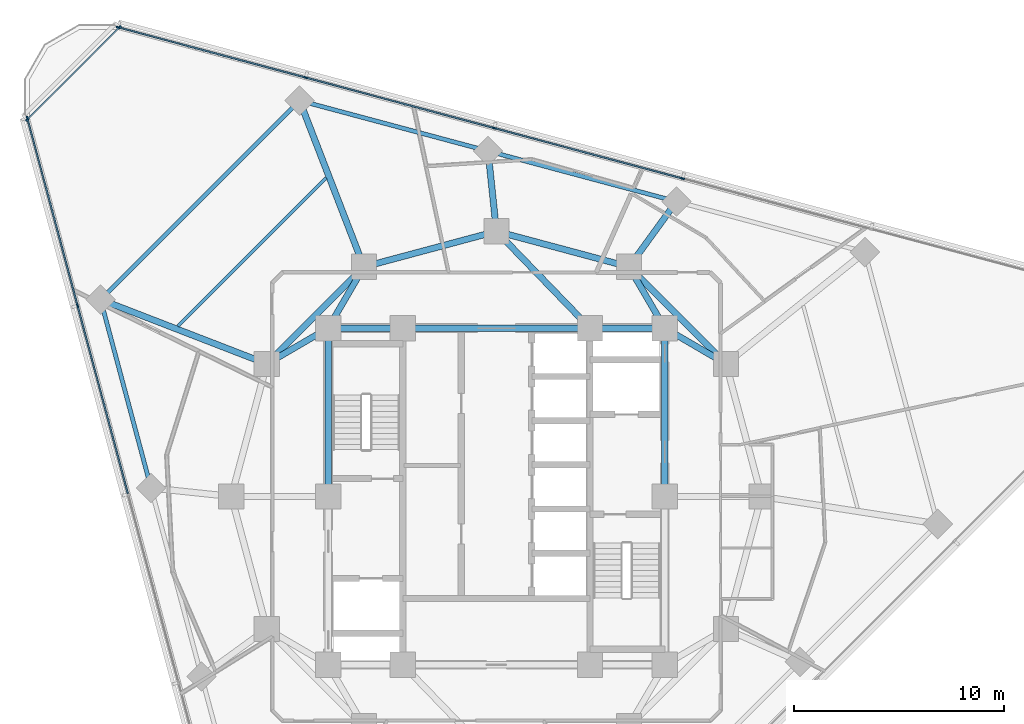
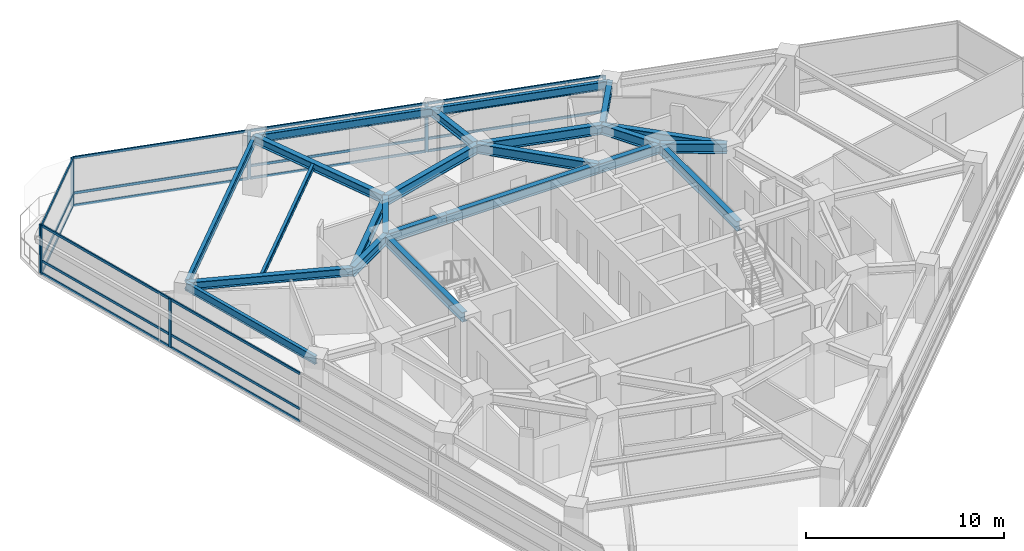
# One storey, part 4 of 14: 26 members, 23 beams, 3 elements without a shape of their own.
"""IFC4 building model written with IfcOpenShell, lengths in metres."""

from ifc_helpers import new_model, si_unit, direction, frame, origin, origin_2d, place, context, subcontext, project, spatial, rectangle, i_section, extrude, material, layer, layer_set, material_profile, profile_set, type_object, element, aggregate, save


model = new_model("IFC4")

# Units and contexts
model_context = context("Model", 3, precision=1e-05, world=origin(), true_north=direction((0.0, 1.0)))
body_context = subcontext(model_context, "Body", "Model", "MODEL_VIEW")
ifc_project = project(units=[si_unit("LENGTHUNIT", "METRE"), si_unit("AREAUNIT", "SQUARE_METRE"), si_unit("VOLUMEUNIT", "CUBIC_METRE"), si_unit("PLANEANGLEUNIT", "RADIAN"), si_unit("MASSUNIT", "GRAM", prefix="KILO")], contexts=[model_context])

# Site, building, storey
site_placement = place(None, origin())
site = spatial("IfcSite", under=ifc_project, at=site_placement, CompositionType="ELEMENT")
building_placement = place(site_placement, origin())
building = spatial("IfcBuilding", under=site, at=building_placement, Name="Terralouvre Media Tower", CompositionType="ELEMENT")
storey_placement = place(building_placement, frame((0.0, 0.0, 187.89990234375)))
storey = spatial("IfcBuildingStorey", under=building, at=storey_placement, Name="L48", CompositionType="ELEMENT", Elevation=187.89990234375)

# Beam
ifc_material_1 = material(Name="Structural steel S355J2", Category="steel")
ifc_material_profile_1 = material_profile(ifc_material_1, i_section(OverallWidth=0.159912109375, OverallDepth=0.330078125, WebThickness=0.007568359375, FlangeThickness=0.011474609375, at=origin_2d()), Name="IPE 330")
ifc_profile_set_1 = profile_set([ifc_material_profile_1], Name="Structural steel S355J2")
beam_type_1 = type_object("IfcBeamType", Name="Composite Floor Joist J-IPE330 (IPE 330)", PredefinedType="JOIST", material=ifc_profile_set_1)
beam_1_placement = place(storey_placement, frame((-8.095947265625, 15.14453125, 3.335205078125), z_axis=(-0.707106781187, -0.707106781187, 0.0), x_axis=(0.707106781187, -0.707106781187, 0.0)))
element("IfcBeam", 1, at=beam_1_placement, inside=storey, type_object=beam_type_1, Name="L48 Framing Beam JT-L48-05", PredefinedType="JOIST", context=body_context, shape_type="SweptSolid", body=[
    extrude(i_section(OverallWidth=0.159912109375, OverallDepth=0.330078125, WebThickness=0.007568359375, FlangeThickness=0.011474609375, at=origin_2d()), origin(), (0.0, 0.0, 1.0), 9.96826171875),
])

# Curtain wall, members
ifc_material_2 = material(Name="Low-iron laminated double glazing with solar-control coating", Category="glass")
ifc_layer_1 = layer(ifc_material_2, 0.1650390625, Name="Production Studio Tower Curtain Wall CW-03")
ifc_layer_set_1 = layer_set([ifc_layer_1], Name="Low-iron laminated double glazing with solar-control coating")
curtain_wall_type_1 = type_object("IfcCurtainWallType", Name="Production Studio Tower Curtain Wall CW-03", PredefinedType="NOTDEFINED", material=ifc_layer_set_1)
curtain_wall_1_placement = place(storey_placement, origin())
curtain_wall_1 = element("IfcCurtainWall", 2, at=curtain_wall_1_placement, inside=storey, type_object=curtain_wall_type_1, Name="L48 Facade Curtain Wall F1", PredefinedType="NOTDEFINED")
ifc_material_3 = material(Name="Anodised extruded aluminium 6063-T6", Category="aluminium")
ifc_material_profile_2 = material_profile(ifc_material_3, rectangle(XDim=0.074951171875, YDim=0.14990234375, at=origin_2d()), Name="ALU 75x150")
ifc_profile_set_2 = profile_set([ifc_material_profile_2], Name="Anodised extruded aluminium 6063-T6")
member_type_1 = type_object("IfcMemberType", Name="Curtain-Wall Horizontal Transom TR-150", PredefinedType="USERDEFINED", material=ifc_profile_set_2)
member_1_placement = place(storey_placement, frame((8.8115234375, 15.117431640625, 0.03759765625), z_axis=(-0.965926723605, 0.25881569625, 0.0), x_axis=(-0.25881569625, -0.965926723605, 0.0)))
member_1 = element("IfcMember", 3, at=member_1_placement, type_object=member_type_1, Name="CW-03 transom 3.1", ObjectType="TRANSOM", PredefinedType="USERDEFINED", context=body_context, shape_type="SweptSolid", body=[
    extrude(rectangle(XDim=0.074951171875, YDim=0.14990234375, at=origin_2d()), origin(), (0.0, 0.0, 1.0), 9.197265625),
])
member_2_placement = place(storey_placement, frame((8.8115234375, 15.117431640625, 0.800048828125), z_axis=(-0.965926723605, 0.25881569625, 0.0), x_axis=(-0.25881569625, -0.965926723605, 0.0)))
member_2 = element("IfcMember", 4, at=member_2_placement, type_object=member_type_1, Name="CW-03 transom 3.2", ObjectType="TRANSOM", PredefinedType="USERDEFINED", context=body_context, shape_type="SweptSolid", body=[
    extrude(rectangle(XDim=0.074951171875, YDim=0.14990234375, at=origin_2d()), origin(), (0.0, 0.0, 1.0), 9.197265625),
])
member_3_placement = place(storey_placement, frame((8.8115234375, 15.117431640625, 2.962646484375), z_axis=(-0.965926723605, 0.25881569625, 0.0), x_axis=(-0.25881569625, -0.965926723605, 0.0)))
member_3 = element("IfcMember", 5, at=member_3_placement, type_object=member_type_1, Name="CW-03 transom 3.3", ObjectType="TRANSOM", PredefinedType="USERDEFINED", context=body_context, shape_type="SweptSolid", body=[
    extrude(rectangle(XDim=0.074951171875, YDim=0.14990234375, at=origin_2d()), origin(), (0.0, 0.0, 1.0), 9.197265625),
])
member_4_placement = place(storey_placement, frame((-0.14453125, 17.517333984375, 0.03759765625), z_axis=(-0.965926723605, 0.25881569625, 0.0), x_axis=(-0.25881569625, -0.965926723605, 0.0)))
member_4 = element("IfcMember", 6, at=member_4_placement, type_object=member_type_1, Name="CW-03 transom 4.1", ObjectType="TRANSOM", PredefinedType="USERDEFINED", context=body_context, shape_type="SweptSolid", body=[
    extrude(rectangle(XDim=0.074951171875, YDim=0.14990234375, at=origin_2d()), origin(), (0.0, 0.0, 1.0), 9.197265625),
])
member_5_placement = place(storey_placement, frame((-0.14453125, 17.517333984375, 0.800048828125), z_axis=(-0.965926723605, 0.25881569625, 0.0), x_axis=(-0.25881569625, -0.965926723605, 0.0)))
member_5 = element("IfcMember", 7, at=member_5_placement, type_object=member_type_1, Name="CW-03 transom 4.2", ObjectType="TRANSOM", PredefinedType="USERDEFINED", context=body_context, shape_type="SweptSolid", body=[
    extrude(rectangle(XDim=0.074951171875, YDim=0.14990234375, at=origin_2d()), origin(), (0.0, 0.0, 1.0), 9.197265625),
])
member_6_placement = place(storey_placement, frame((-0.14453125, 17.517333984375, 2.962646484375), z_axis=(-0.965926723605, 0.25881569625, 0.0), x_axis=(-0.25881569625, -0.965926723605, 0.0)))
member_6 = element("IfcMember", 8, at=member_6_placement, type_object=member_type_1, Name="CW-03 transom 4.3", ObjectType="TRANSOM", PredefinedType="USERDEFINED", context=body_context, shape_type="SweptSolid", body=[
    extrude(rectangle(XDim=0.074951171875, YDim=0.14990234375, at=origin_2d()), origin(), (0.0, 0.0, 1.0), 9.197265625),
])
member_7_placement = place(storey_placement, frame((-9.1005859375, 19.9169921875, 0.03759765625), z_axis=(-0.965927230856, 0.25881380313, 0.0), x_axis=(-0.25881380313, -0.965927230856, 0.0)))
member_7 = element("IfcMember", 9, at=member_7_placement, type_object=member_type_1, Name="CW-03 transom 5.1", ObjectType="TRANSOM", PredefinedType="USERDEFINED", context=body_context, shape_type="SweptSolid", body=[
    extrude(rectangle(XDim=0.074951171875, YDim=0.14990234375, at=origin_2d()), origin(), (0.0, 0.0, 1.0), 9.159423828125),
])
member_8_placement = place(storey_placement, frame((-9.1005859375, 19.9169921875, 0.800048828125), z_axis=(-0.965927230856, 0.25881380313, 0.0), x_axis=(-0.25881380313, -0.965927230856, 0.0)))
member_8 = element("IfcMember", 10, at=member_8_placement, type_object=member_type_1, Name="CW-03 transom 5.2", ObjectType="TRANSOM", PredefinedType="USERDEFINED", context=body_context, shape_type="SweptSolid", body=[
    extrude(rectangle(XDim=0.074951171875, YDim=0.14990234375, at=origin_2d()), origin(), (0.0, 0.0, 1.0), 9.159423828125),
])
member_9_placement = place(storey_placement, frame((-9.1005859375, 19.9169921875, 2.962646484375), z_axis=(-0.965927230856, 0.25881380313, 0.0), x_axis=(-0.25881380313, -0.965927230856, 0.0)))
member_9 = element("IfcMember", 11, at=member_9_placement, type_object=member_type_1, Name="CW-03 transom 5.3", ObjectType="TRANSOM", PredefinedType="USERDEFINED", context=body_context, shape_type="SweptSolid", body=[
    extrude(rectangle(XDim=0.074951171875, YDim=0.14990234375, at=origin_2d()), origin(), (0.0, 0.0, 1.0), 9.159423828125),
])

curtain_wall_2_placement = place(storey_placement, origin())
curtain_wall_2 = element("IfcCurtainWall", 12, at=curtain_wall_2_placement, inside=storey, type_object=curtain_wall_type_1, Name="L48 Facade Curtain Wall F2", PredefinedType="NOTDEFINED")
member_10_placement = place(storey_placement, frame((-22.28759765625, 17.947998046875, 0.03759765625), z_axis=(0.25881380313, -0.965927230856, 0.0), x_axis=(0.965927230856, 0.25881380313, 0.0)))
member_10 = element("IfcMember", 13, at=member_10_placement, type_object=member_type_1, Name="CW-03 transom 1.1", ObjectType="TRANSOM", PredefinedType="USERDEFINED", context=body_context, shape_type="SweptSolid", body=[
    extrude(rectangle(XDim=0.074951171875, YDim=0.14990234375, at=origin_2d()), origin(), (0.0, 0.0, 1.0), 9.159423828125),
])
member_11_placement = place(storey_placement, frame((-22.28759765625, 17.947998046875, 0.800048828125), z_axis=(0.25881380313, -0.965927230856, 0.0), x_axis=(0.965927230856, 0.25881380313, 0.0)))
member_11 = element("IfcMember", 14, at=member_11_placement, type_object=member_type_1, Name="CW-03 transom 1.2", ObjectType="TRANSOM", PredefinedType="USERDEFINED", context=body_context, shape_type="SweptSolid", body=[
    extrude(rectangle(XDim=0.074951171875, YDim=0.14990234375, at=origin_2d()), origin(), (0.0, 0.0, 1.0), 9.159423828125),
])
member_12_placement = place(storey_placement, frame((-22.28759765625, 17.947998046875, 2.962646484375), z_axis=(0.25881380313, -0.965927230856, 0.0), x_axis=(0.965927230856, 0.25881380313, 0.0)))
member_12 = element("IfcMember", 15, at=member_12_placement, type_object=member_type_1, Name="CW-03 transom 1.3", ObjectType="TRANSOM", PredefinedType="USERDEFINED", context=body_context, shape_type="SweptSolid", body=[
    extrude(rectangle(XDim=0.074951171875, YDim=0.14990234375, at=origin_2d()), origin(), (0.0, 0.0, 1.0), 9.159423828125),
])
member_13_placement = place(storey_placement, frame((-19.897705078125, 9.0283203125, 0.03759765625), z_axis=(0.25881569625, -0.965926723605, 0.0), x_axis=(0.965926723605, 0.25881569625, 0.0)))
member_13 = element("IfcMember", 16, at=member_13_placement, type_object=member_type_1, Name="CW-03 transom 2.1", ObjectType="TRANSOM", PredefinedType="USERDEFINED", context=body_context, shape_type="SweptSolid", body=[
    extrude(rectangle(XDim=0.074951171875, YDim=0.14990234375, at=origin_2d()), origin(), (0.0, 0.0, 1.0), 9.197265625),
])
member_14_placement = place(storey_placement, frame((-19.897705078125, 9.0283203125, 0.800048828125), z_axis=(0.25881569625, -0.965926723605, 0.0), x_axis=(0.965926723605, 0.25881569625, 0.0)))
member_14 = element("IfcMember", 17, at=member_14_placement, type_object=member_type_1, Name="CW-03 transom 2.2", ObjectType="TRANSOM", PredefinedType="USERDEFINED", context=body_context, shape_type="SweptSolid", body=[
    extrude(rectangle(XDim=0.074951171875, YDim=0.14990234375, at=origin_2d()), origin(), (0.0, 0.0, 1.0), 9.197265625),
])
member_15_placement = place(storey_placement, frame((-19.897705078125, 9.0283203125, 2.962646484375), z_axis=(0.25881569625, -0.965926723605, 0.0), x_axis=(0.965926723605, 0.25881569625, 0.0)))
member_15 = element("IfcMember", 18, at=member_15_placement, type_object=member_type_1, Name="CW-03 transom 2.3", ObjectType="TRANSOM", PredefinedType="USERDEFINED", context=body_context, shape_type="SweptSolid", body=[
    extrude(rectangle(XDim=0.074951171875, YDim=0.14990234375, at=origin_2d()), origin(), (0.0, 0.0, 1.0), 9.197265625),
])

ifc_material_4 = material(Name="Low-iron laminated double glazing with solar-control coating", Category="glass")
ifc_layer_2 = layer(ifc_material_4, 0.1650390625, Name="Rounded Wind-Corner Curved Glazing CW-04")
ifc_layer_set_2 = layer_set([ifc_layer_2], Name="Low-iron laminated double glazing with solar-control coating")
curtain_wall_type_2 = type_object("IfcCurtainWallType", Name="Rounded Wind-Corner Curved Glazing CW-04", PredefinedType="NOTDEFINED", material=ifc_layer_set_2)
curtain_wall_3_placement = place(storey_placement, origin())
curtain_wall_3 = element("IfcCurtainWall", 19, at=curtain_wall_3_placement, inside=storey, type_object=curtain_wall_type_2, Name="L48 Rounded Wind-Corner Curtain Wall C2", PredefinedType="NOTDEFINED")
member_16_placement = place(storey_placement, frame((-17.943603515625, 22.27099609375, 0.03759765625), z_axis=(-0.707106781187, -0.707106781187, 0.0), x_axis=(0.707106781187, -0.707106781187, 0.0)))
member_16 = element("IfcMember", 20, at=member_16_placement, type_object=member_type_1, Name="CW-04 transom 1.1", ObjectType="TRANSOM", PredefinedType="USERDEFINED", context=body_context, shape_type="SweptSolid", body=[
    extrude(rectangle(XDim=0.074951171875, YDim=0.14990234375, at=origin_2d()), origin(), (0.0, 0.0, 1.0), 6.119873046875),
])
member_17_placement = place(storey_placement, frame((-17.943603515625, 22.27099609375, 0.800048828125), z_axis=(-0.707106781187, -0.707106781187, 0.0), x_axis=(0.707106781187, -0.707106781187, 0.0)))
member_17 = element("IfcMember", 21, at=member_17_placement, type_object=member_type_1, Name="CW-04 transom 1.2", ObjectType="TRANSOM", PredefinedType="USERDEFINED", context=body_context, shape_type="SweptSolid", body=[
    extrude(rectangle(XDim=0.074951171875, YDim=0.14990234375, at=origin_2d()), origin(), (0.0, 0.0, 1.0), 6.119873046875),
])
member_18_placement = place(storey_placement, frame((-17.943603515625, 22.27099609375, 2.962646484375), z_axis=(-0.707106781187, -0.707106781187, 0.0), x_axis=(0.707106781187, -0.707106781187, 0.0)))
member_18 = element("IfcMember", 22, at=member_18_placement, type_object=member_type_1, Name="CW-04 transom 1.3", ObjectType="TRANSOM", PredefinedType="USERDEFINED", context=body_context, shape_type="SweptSolid", body=[
    extrude(rectangle(XDim=0.074951171875, YDim=0.14990234375, at=origin_2d()), origin(), (0.0, 0.0, 1.0), 6.119873046875),
])

# Member
ifc_material_5 = material(Name="Anodised extruded aluminium 6063-T6", Category="aluminium")
ifc_material_profile_3 = material_profile(ifc_material_5, rectangle(XDim=0.074951171875, YDim=0.179931640625, at=origin_2d()), Name="ALU 75x180")
ifc_profile_set_3 = profile_set([ifc_material_profile_3], Name="Anodised extruded aluminium 6063-T6")
member_type_2 = type_object("IfcMemberType", Name="Curtain-Wall Vertical Mullion ML-180", PredefinedType="MULLION", material=ifc_profile_set_3)
member_19_placement = place(storey_placement, frame((8.84765625, 15.10791015625, 0.0), z_axis=(0.0, 0.0, 1.0), x_axis=(-0.25881903342, -0.96592582942, 0.0)))
member_19 = element("IfcMember", 23, at=member_19_placement, type_object=member_type_2, Name="CW-03 mullion 3", PredefinedType="MULLION", context=body_context, shape_type="SweptSolid", body=[
    extrude(rectangle(XDim=0.074951171875, YDim=0.179931640625, at=origin_2d()), origin(), (0.0, 0.0, 1.0), 3.0),
])

member_20_placement = place(storey_placement, frame((-0.1083984375, 17.507568359375, 0.0), z_axis=(0.0, 0.0, 1.0), x_axis=(-0.25881903342, -0.96592582942, 0.0)))
member_20 = element("IfcMember", 24, at=member_20_placement, type_object=member_type_2, Name="CW-03 mullion 4", PredefinedType="MULLION", context=body_context, shape_type="SweptSolid", body=[
    extrude(rectangle(XDim=0.074951171875, YDim=0.179931640625, at=origin_2d()), origin(), (0.0, 0.0, 1.0), 3.0),
])

member_21_placement = place(storey_placement, frame((-9.064453125, 19.907470703125, 0.0), z_axis=(0.0, 0.0, 1.0), x_axis=(-0.25881903342, -0.96592582942, 0.0)))
member_21 = element("IfcMember", 25, at=member_21_placement, type_object=member_type_2, Name="CW-03 mullion 5", PredefinedType="MULLION", context=body_context, shape_type="SweptSolid", body=[
    extrude(rectangle(XDim=0.074951171875, YDim=0.179931640625, at=origin_2d()), origin(), (0.0, 0.0, 1.0), 3.0),
])

member_22_placement = place(storey_placement, frame((-17.984375, 22.29736328125, 0.0), z_axis=(0.0, 0.0, 1.0), x_axis=(-0.25881903342, -0.96592582942, 0.0)))
member_22 = element("IfcMember", 26, at=member_22_placement, type_object=member_type_2, Name="CW-03 mullion 6", PredefinedType="MULLION", context=body_context, shape_type="SweptSolid", body=[
    extrude(rectangle(XDim=0.074951171875, YDim=0.179931640625, at=origin_2d()), origin(), (0.0, 0.0, 1.0), 3.0),
])

aggregate(curtain_wall_1, [member_19, member_20, member_21, member_22, member_1, member_2, member_3, member_4, member_5, member_6, member_7, member_8, member_9])

member_23_placement = place(storey_placement, frame((-22.29736328125, 17.984375, 0.0), z_axis=(0.0, 0.0, 1.0), x_axis=(0.96592582942, 0.25881903342, 0.0)))
member_23 = element("IfcMember", 27, at=member_23_placement, type_object=member_type_2, Name="CW-03 mullion 1", PredefinedType="MULLION", context=body_context, shape_type="SweptSolid", body=[
    extrude(rectangle(XDim=0.074951171875, YDim=0.179931640625, at=origin_2d()), origin(), (0.0, 0.0, 1.0), 3.0),
])

member_24_placement = place(storey_placement, frame((-19.907470703125, 9.064453125, 0.0), z_axis=(0.0, 0.0, 1.0), x_axis=(0.96592582942, 0.25881903342, 0.0)))
member_24 = element("IfcMember", 28, at=member_24_placement, type_object=member_type_2, Name="CW-03 mullion 2", PredefinedType="MULLION", context=body_context, shape_type="SweptSolid", body=[
    extrude(rectangle(XDim=0.074951171875, YDim=0.179931640625, at=origin_2d()), origin(), (0.0, 0.0, 1.0), 3.0),
])

aggregate(curtain_wall_2, [member_23, member_24, member_10, member_11, member_12, member_13, member_14, member_15])

member_25_placement = place(storey_placement, frame((-17.9169921875, 22.297607421875, 0.0), z_axis=(0.0, 0.0, 1.0), x_axis=(0.707106781187, -0.707106781187, 0.0)))
member_25 = element("IfcMember", 29, at=member_25_placement, type_object=member_type_2, Name="CW-04 mullion 1", PredefinedType="MULLION", context=body_context, shape_type="SweptSolid", body=[
    extrude(rectangle(XDim=0.074951171875, YDim=0.179931640625, at=origin_2d()), origin(), (0.0, 0.0, 1.0), 3.0),
])

member_26_placement = place(storey_placement, frame((-22.297607421875, 17.9169921875, 0.0), z_axis=(0.0, 0.0, 1.0), x_axis=(0.707106781187, -0.707106781187, 0.0)))
member_26 = element("IfcMember", 30, at=member_26_placement, type_object=member_type_2, Name="CW-04 mullion 2", PredefinedType="MULLION", context=body_context, shape_type="SweptSolid", body=[
    extrude(rectangle(XDim=0.074951171875, YDim=0.179931640625, at=origin_2d()), origin(), (0.0, 0.0, 1.0), 3.0),
])

aggregate(curtain_wall_3, [member_25, member_26, member_16, member_17, member_18])

# Beams
ifc_material_6 = material(Name="Structural steel S355J2", Category="steel")
ifc_material_profile_4 = material_profile(ifc_material_6, i_section(OverallWidth=0.199951171875, OverallDepth=0.5, WebThickness=0.01025390625, FlangeThickness=0.01611328125, at=origin_2d()), Name="IPE 500")
ifc_profile_set_4 = profile_set([ifc_material_profile_4], Name="Structural steel S355J2")
beam_type_2 = type_object("IfcBeamType", Name="Perimeter Spandrel Beam SPB-500 (IPE 500)", PredefinedType="SPANDREL", material=ifc_profile_set_4)
for number, where, z_axis, x_axis, name in (
    (31, (8.55517578125, 14.016357421875, 3.239990234375), (-0.965928776458, 0.258808034669, 0.0), (-0.258808034669, -0.965928776458, 0.0), "L48 Framing Beam BM-L48-PR08"),
    (32, (-0.40087890625, 16.416015625, 3.239990234375), (-0.965922193685, 0.258832601786, 0.0), (-0.258832601786, -0.965922193685, 0.0), "L48 Framing Beam BM-L48-PR09"),
):
    element("IfcBeam", number, at=place(storey_placement, frame(where, z_axis=z_axis, x_axis=x_axis)), inside=storey, type_object=beam_type_2, Name=name, PredefinedType="SPANDREL", context=body_context, shape_type="SweptSolid", body=[
        extrude(i_section(OverallWidth=0.199951171875, OverallDepth=0.5, WebThickness=0.01025390625, FlangeThickness=0.01611328125, at=origin_2d()), origin(), (0.0, 0.0, 1.0), 9.27197265625),
    ])
beam_2_placement = place(storey_placement, frame((-9.35693359375, 18.81591796875, 3.25), z_axis=(-0.707106781187, -0.707106781187, 0.0), x_axis=(0.707106781187, -0.707106781187, 0.0)))
element("IfcBeam", 33, at=beam_2_placement, inside=storey, type_object=beam_type_2, Name="L48 Framing Beam BM-L48-PR10", PredefinedType="SPANDREL", context=body_context, shape_type="SweptSolid", body=[
    extrude(i_section(OverallWidth=0.199951171875, OverallDepth=0.5, WebThickness=0.01025390625, FlangeThickness=0.01611328125, at=origin_2d()), origin(), (0.0, 0.0, 1.0), 13.376953125),
])
beam_3_placement = place(storey_placement, frame((-18.81591796875, 9.35693359375, 3.25), z_axis=(0.258832601786, -0.965922193685, 0.0), x_axis=(0.965922193685, 0.258832601786, 0.0)))
element("IfcBeam", 34, at=beam_3_placement, inside=storey, type_object=beam_type_2, Name="L48 Framing Beam BM-L48-PR11", PredefinedType="SPANDREL", context=body_context, shape_type="SweptSolid", body=[
    extrude(i_section(OverallWidth=0.199951171875, OverallDepth=0.5, WebThickness=0.01025390625, FlangeThickness=0.01611328125, at=origin_2d()), origin(), (0.0, 0.0, 1.0), 9.27197265625),
])
ifc_material_7 = material(Name="Structural steel S355J2", Category="steel")
ifc_material_profile_5 = material_profile(ifc_material_7, i_section(OverallWidth=0.300048828125, OverallDepth=0.5, WebThickness=0.014404296875, FlangeThickness=0.028076171875, at=origin_2d()), Name="HEB 500")
ifc_profile_set_5 = profile_set([ifc_material_profile_5], Name="Structural steel S355J2")
beam_type_3 = type_object("IfcBeamType", Name="Primary Floor Girder B-HEB500 (HEB 500)", PredefinedType="BEAM", material=ifc_profile_set_5)
beam_4_placement = place(storey_placement, frame((6.300048828125, 10.911865234375, 3.25), z_axis=(0.587713839807, 0.809068873767, 0.0), x_axis=(-0.809068873767, 0.587713839807, 0.0)))
element("IfcBeam", 35, at=beam_4_placement, inside=storey, type_object=beam_type_3, Name="L48 Framing Beam BM-L48-RD08", PredefinedType="BEAM", context=body_context, shape_type="SweptSolid", body=[
    extrude(i_section(OverallWidth=0.300048828125, OverallDepth=0.5, WebThickness=0.014404296875, FlangeThickness=0.028076171875, at=origin_2d()), origin(), (0.0, 0.0, 1.0), 3.837158203125),
])
beam_5_placement = place(storey_placement, frame((0.0, 12.60009765625, 3.239990234375), z_axis=(-0.104479425033, 0.994527048272, 0.0), x_axis=(-0.994527048272, -0.104479425033, 0.0)))
element("IfcBeam", 36, at=beam_5_placement, inside=storey, type_object=beam_type_3, Name="L48 Framing Beam BM-L48-RD09", PredefinedType="BEAM", context=body_context, shape_type="SweptSolid", body=[
    extrude(i_section(OverallWidth=0.300048828125, OverallDepth=0.5, WebThickness=0.014404296875, FlangeThickness=0.028076171875, at=origin_2d()), origin(), (0.0, 0.0, 1.0), 3.8369140625),
])
for number, where, z_axis, x_axis, name in (
    (37, (-6.300048828125, 10.911865234375, 3.25), (-0.360712022835, 0.932677241377, 0.0), (-0.932677241377, -0.360712022835, 0.0), "L48 Framing Beam BM-L48-RD10"),
    (38, (-10.911865234375, 6.300048828125, 3.25), (-0.932677241377, 0.360712022835, 0.0), (-0.360712022835, -0.932677241377, 0.0), "L48 Framing Beam BM-L48-RD11"),
):
    element("IfcBeam", number, at=place(storey_placement, frame(where, z_axis=z_axis, x_axis=x_axis)), inside=storey, type_object=beam_type_3, Name=name, PredefinedType="BEAM", context=body_context, shape_type="SweptSolid", body=[
        extrude(i_section(OverallWidth=0.300048828125, OverallDepth=0.5, WebThickness=0.014404296875, FlangeThickness=0.028076171875, at=origin_2d()), origin(), (0.0, 0.0, 1.0), 8.474609375),
    ])
ifc_material_8 = material(Name="Structural steel S460M", Category="steel")
ifc_material_profile_6 = material_profile(ifc_material_8, i_section(OverallWidth=0.300048828125, OverallDepth=0.60009765625, WebThickness=0.015380859375, FlangeThickness=0.030029296875, at=origin_2d()), Name="HEB 600")
ifc_profile_set_6 = profile_set([ifc_material_profile_6], Name="Structural steel S460M")
beam_type_4 = type_object("IfcBeamType", Name="Primary Floor Girder B-HEB600 (HEB 600)", PredefinedType="BEAM", material=ifc_profile_set_6)
beam_6_placement = place(storey_placement, frame((8.0, 0.0, 3.2001953125), z_axis=(0.0, 1.0, 0.0), x_axis=(-1.0, 0.0, 0.0)))
element("IfcBeam", 39, at=beam_6_placement, inside=storey, type_object=beam_type_4, Name="L48 Framing Beam BM-L48-CPR05", PredefinedType="BEAM", context=body_context, shape_type="SweptSolid", body=[
    extrude(i_section(OverallWidth=0.300048828125, OverallDepth=0.60009765625, WebThickness=0.015380859375, FlangeThickness=0.030029296875, at=origin_2d()), origin(), (0.0, 0.0, 1.0), 8.0),
])
beam_7_placement = place(storey_placement, frame((8.0, 8.0, 3.2001953125), z_axis=(-1.0, 0.0, 0.0), x_axis=(0.0, -1.0, 0.0)))
element("IfcBeam", 40, at=beam_7_placement, inside=storey, type_object=beam_type_4, Name="L48 Framing Beam BM-L48-CPR06", PredefinedType="BEAM", context=body_context, shape_type="SweptSolid", body=[
    extrude(i_section(OverallWidth=0.300048828125, OverallDepth=0.60009765625, WebThickness=0.015380859375, FlangeThickness=0.030029296875, at=origin_2d()), origin(), (0.0, 0.0, 1.0), 3.550048828125),
])
beam_8_placement = place(storey_placement, frame((4.449951171875, 8.0, 3.2001953125), z_axis=(-1.0, 0.0, 0.0), x_axis=(0.0, -1.0, 0.0)))
element("IfcBeam", 41, at=beam_8_placement, inside=storey, type_object=beam_type_4, Name="L48 Framing Beam BM-L48-CPR07", PredefinedType="BEAM", context=body_context, shape_type="SweptSolid", body=[
    extrude(i_section(OverallWidth=0.300048828125, OverallDepth=0.60009765625, WebThickness=0.015380859375, FlangeThickness=0.030029296875, at=origin_2d()), origin(), (0.0, 0.0, 1.0), 8.89990234375),
])
beam_9_placement = place(storey_placement, frame((-4.449951171875, 8.0, 3.2001953125), z_axis=(-1.0, 0.0, 0.0), x_axis=(0.0, -1.0, 0.0)))
element("IfcBeam", 42, at=beam_9_placement, inside=storey, type_object=beam_type_4, Name="L48 Framing Beam BM-L48-CPR08", PredefinedType="BEAM", context=body_context, shape_type="SweptSolid", body=[
    extrude(i_section(OverallWidth=0.300048828125, OverallDepth=0.60009765625, WebThickness=0.015380859375, FlangeThickness=0.030029296875, at=origin_2d()), origin(), (0.0, 0.0, 1.0), 3.550048828125),
])
beam_10_placement = place(storey_placement, frame((-8.0, 8.0, 3.2001953125), z_axis=(0.0, -1.0, 0.0), x_axis=(1.0, 0.0, 0.0)))
element("IfcBeam", 43, at=beam_10_placement, inside=storey, type_object=beam_type_4, Name="L48 Framing Beam BM-L48-CPR09", PredefinedType="BEAM", context=body_context, shape_type="SweptSolid", body=[
    extrude(i_section(OverallWidth=0.300048828125, OverallDepth=0.60009765625, WebThickness=0.015380859375, FlangeThickness=0.030029296875, at=origin_2d()), origin(), (0.0, 0.0, 1.0), 8.0),
])
beam_11_placement = place(storey_placement, frame((10.911865234375, 6.300048828125, 3.2001953125), z_axis=(-0.707106781187, 0.707106781187, 0.0), x_axis=(-0.707106781187, -0.707106781187, 0.0)))
element("IfcBeam", 44, at=beam_11_placement, inside=storey, type_object=beam_type_4, Name="L48 Framing Beam BM-L48-MR07", PredefinedType="BEAM", context=body_context, shape_type="SweptSolid", body=[
    extrude(i_section(OverallWidth=0.300048828125, OverallDepth=0.60009765625, WebThickness=0.015380859375, FlangeThickness=0.030029296875, at=origin_2d()), origin(), (0.0, 0.0, 1.0), 6.52197265625),
])
for number, where, z_axis, x_axis, name in (
    (45, (6.300048828125, 10.911865234375, 3.2001953125), (-0.965920481897, 0.258838989821, 0.0), (-0.258838989821, -0.965920481897, 0.0), "L48 Framing Beam BM-L48-MR08"),
    (46, (0.0, 12.60009765625, 3.2001953125), (-0.965920481897, -0.258838989821, 0.0), (0.258838989821, -0.965920481897, 0.0), "L48 Framing Beam BM-L48-MR09"),
):
    element("IfcBeam", number, at=place(storey_placement, frame(where, z_axis=z_axis, x_axis=x_axis)), inside=storey, type_object=beam_type_4, Name=name, PredefinedType="BEAM", context=body_context, shape_type="SweptSolid", body=[
        extrude(i_section(OverallWidth=0.300048828125, OverallDepth=0.60009765625, WebThickness=0.015380859375, FlangeThickness=0.030029296875, at=origin_2d()), origin(), (0.0, 0.0, 1.0), 6.522216796875),
    ])
beam_12_placement = place(storey_placement, frame((-6.300048828125, 10.911865234375, 3.2001953125), z_axis=(-0.707106781187, -0.707106781187, 0.0), x_axis=(0.707106781187, -0.707106781187, 0.0)))
element("IfcBeam", 47, at=beam_12_placement, inside=storey, type_object=beam_type_4, Name="L48 Framing Beam BM-L48-MR10", PredefinedType="BEAM", context=body_context, shape_type="SweptSolid", body=[
    extrude(i_section(OverallWidth=0.300048828125, OverallDepth=0.60009765625, WebThickness=0.015380859375, FlangeThickness=0.030029296875, at=origin_2d()), origin(), (0.0, 0.0, 1.0), 6.52197265625),
])
for number, where, z_axis, x_axis, name in (
    (48, (8.0, 8.0, 3.2001953125), (0.863602894532, -0.504172629717, 0.0), (0.504172629717, 0.863602894532, 0.0), "L48 Framing Beam BM-L48-CM07"),
    (49, (8.0, 8.0, 3.2001953125), (-0.504172629717, 0.863602894532, 0.0), (-0.863602894532, -0.504172629717, 0.0), "L48 Framing Beam BM-L48-CM08"),
):
    element("IfcBeam", number, at=place(storey_placement, frame(where, z_axis=z_axis, x_axis=x_axis)), inside=storey, type_object=beam_type_4, Name=name, PredefinedType="BEAM", context=body_context, shape_type="SweptSolid", body=[
        extrude(i_section(OverallWidth=0.300048828125, OverallDepth=0.60009765625, WebThickness=0.015380859375, FlangeThickness=0.030029296875, at=origin_2d()), origin(), (0.0, 0.0, 1.0), 3.371826171875),
    ])
beam_13_placement = place(storey_placement, frame((4.449951171875, 8.0, 3.2001953125), z_axis=(-0.695279715726, 0.718739255155, 0.0), x_axis=(-0.718739255155, -0.695279715726, 0.0)))
element("IfcBeam", 50, at=beam_13_placement, inside=storey, type_object=beam_type_4, Name="L48 Framing Beam BM-L48-CM09", PredefinedType="BEAM", context=body_context, shape_type="SweptSolid", body=[
    extrude(i_section(OverallWidth=0.300048828125, OverallDepth=0.60009765625, WebThickness=0.015380859375, FlangeThickness=0.030029296875, at=origin_2d()), origin(), (0.0, 0.0, 1.0), 6.400146484375),
])
for number, where, z_axis, x_axis, name in (
    (51, (-8.0, 8.0, 3.2001953125), (0.504172629717, 0.863602894532, 0.0), (-0.863602894532, 0.504172629717, 0.0), "L48 Framing Beam BM-L48-CM10"),
    (52, (-8.0, 8.0, 3.2001953125), (-0.863602894532, -0.504172629717, 0.0), (0.504172629717, -0.863602894532, 0.0), "L48 Framing Beam BM-L48-CM11"),
):
    element("IfcBeam", number, at=place(storey_placement, frame(where, z_axis=z_axis, x_axis=x_axis)), inside=storey, type_object=beam_type_4, Name=name, PredefinedType="BEAM", context=body_context, shape_type="SweptSolid", body=[
        extrude(i_section(OverallWidth=0.300048828125, OverallDepth=0.60009765625, WebThickness=0.015380859375, FlangeThickness=0.030029296875, at=origin_2d()), origin(), (0.0, 0.0, 1.0), 3.371826171875),
    ])

save(model, "model.ifc")
